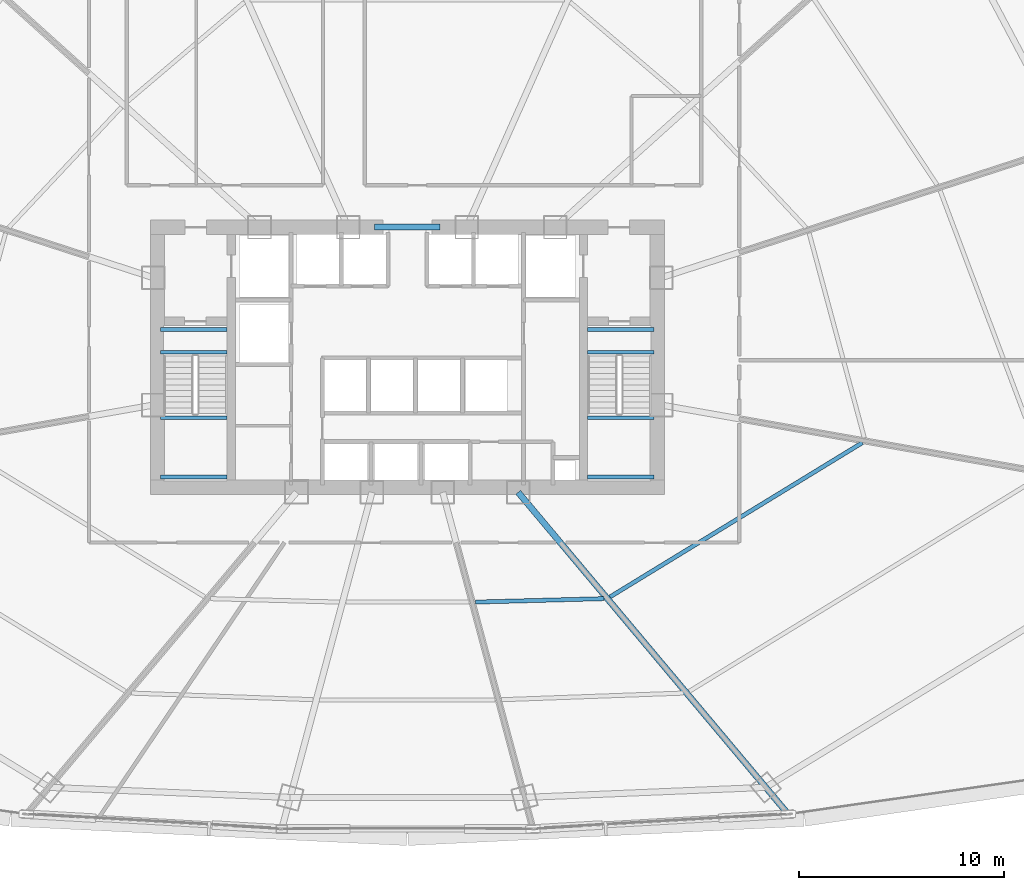
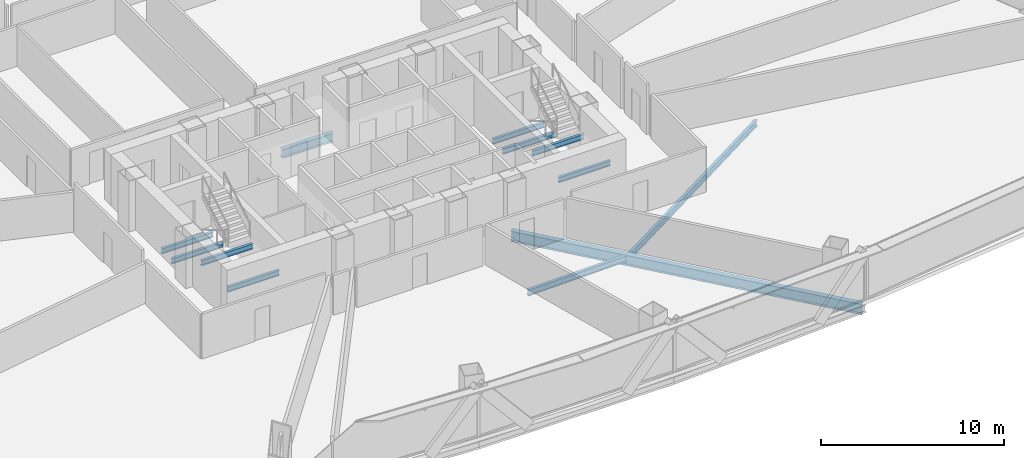
# One storey, part 13 of 42: 12 beams.
"""IFC4 building model written with IfcOpenShell, lengths in metres."""

import ifcopenshell
import ifcopenshell.guid

model = None  # the IFC model being written
_history = None  # IfcOwnerHistory: only IFC2X3 demands one
_inside = {}  # id of a spatial element -> (the spatial element, [elements in it])
_under = {}  # id of a project, library or spatial element -> (it, [spatial elements below it])
_declared = {}  # id of a project -> (the project, [libraries it declares])
_typed = {}  # id of a type object -> (the type object, [elements of that type])
_made_of = {}  # id of a material, layer set ... -> (it, [elements and type objects made of it])


def new_model(schema):
    """Start an empty IFC model of exactly this schema.

    Asked for "IFC4X3", IfcOpenShell would pick the latest addendum, in which some entities
    have other attributes; the version numbers below select the first issue.
    IFC2X3 requires an IfcOwnerHistory on every rooted entity: one is made here for all.
    """
    global model, _history
    if schema == "IFC4X3":
        model = ifcopenshell.file(schema_version=(4, 3, 0, 0))
    else:
        model = ifcopenshell.file(schema=schema)
    _inside.clear()
    _under.clear()
    _declared.clear()
    _typed.clear()
    _made_of.clear()
    _history = None
    if model.schema == "IFC2X3":
        org = make("IfcOrganization", Name="unknown")
        user = make(
            "IfcPersonAndOrganization",
            ThePerson=make("IfcPerson", FamilyName="unknown"),
            TheOrganization=org,
        )
        app = make(
            "IfcApplication",
            ApplicationDeveloper=org,
            Version="unknown",
            ApplicationFullName="unknown",
            ApplicationIdentifier="unknown",
        )
        _history = make(
            "IfcOwnerHistory",
            OwningUser=user,
            OwningApplication=app,
            ChangeAction="ADDED",
            CreationDate=0,
        )
    return model


def make(cls, **values):
    """One entity of the class cls with the attributes given. An attribute that is None is left unset."""
    return model.create_entity(
        cls, **{name: value for name, value in values.items() if value is not None}
    )


def rooted(cls, **values):
    """An entity with a GlobalId (a new one), such as an element, a storey or a relation."""
    return make(cls, GlobalId=ifcopenshell.guid.new(), OwnerHistory=_history, **values)


def si_unit(unit_type, name, prefix=None):
    """IfcSIUnit, for example si_unit("LENGTHUNIT", "METRE", prefix="MILLI")."""
    return make("IfcSIUnit", UnitType=unit_type, Prefix=prefix, Name=name)


def assignment(units):
    """IfcUnitAssignment: the units of a project."""
    return None if units is None else make("IfcUnitAssignment", Units=units)


def point(xyz):
    """IfcCartesianPoint."""
    return None if xyz is None else make("IfcCartesianPoint", Coordinates=xyz)


def direction(xyz):
    """IfcDirection."""
    return None if xyz is None else make("IfcDirection", DirectionRatios=xyz)


def frame(location, z_axis=None, x_axis=None):
    """IfcAxis2Placement3D, a coordinate frame: its origin and axes. An axis left out is left unset."""
    return make(
        "IfcAxis2Placement3D",
        Location=point(location),
        Axis=direction(z_axis),
        RefDirection=direction(x_axis),
    )


def frame_2d(location, x_axis=None):
    """IfcAxis2Placement2D, a coordinate frame in the plane: its origin and x axis."""
    return make(
        "IfcAxis2Placement2D", Location=point(location), RefDirection=direction(x_axis)
    )


def origin():
    """The frame at (0, 0, 0) with its axes left unset."""
    return frame((0.0, 0.0, 0.0))


def origin_2d():
    """The frame at (0, 0) in the plane with its x axis left unset."""
    return frame_2d((0.0, 0.0))


def place(relative_to, where):
    """IfcLocalPlacement: puts the frame where relative to a parent placement (None: the world)."""
    return make(
        "IfcLocalPlacement", PlacementRelTo=relative_to, RelativePlacement=where
    )


def context(
    kind, dimensions, precision=None, world=None, true_north=None, identifier=None
):
    """IfcGeometricRepresentationContext, for example the 3D "Model" context."""
    return make(
        "IfcGeometricRepresentationContext",
        ContextIdentifier=identifier,
        ContextType=kind,
        CoordinateSpaceDimension=dimensions,
        Precision=precision,
        WorldCoordinateSystem=world,
        TrueNorth=true_north,
    )


def subcontext(parent, identifier, kind, view, scale=None):
    """IfcGeometricRepresentationSubContext, for example "Body" below "Model"."""
    return make(
        "IfcGeometricRepresentationSubContext",
        ContextIdentifier=identifier,
        ContextType=kind,
        ParentContext=parent,
        TargetScale=scale,
        TargetView=view,
    )


def project(units=None, contexts=None):
    """IfcProject with its units and contexts."""
    return rooted(
        "IfcProject",
        Name="project",
        RepresentationContexts=contexts,
        UnitsInContext=assignment(units),
    )


def spatial(cls, under=None, at=None, **own):
    """A site, building, storey or space (cls), placed at a placement, below another one or the project."""
    s = rooted(cls, ObjectPlacement=at, **own)
    if under is not None:
        _under.setdefault(under.id(), (under, []))[1].append(s)
    return s


def profile(cls, at=None, kind="AREA", **sizes):
    """A parametric profile (cls). Its sizes go by their IFC names, for example OverallWidth=200.0."""
    return make(cls, ProfileType=kind, Position=at, **sizes)


def i_section(**sizes):
    """IfcIShapeProfileDef."""
    return profile("IfcIShapeProfileDef", **sizes)


def extrude(swept, where, along, depth):
    """IfcExtrudedAreaSolid: the profile swept, set in the frame where, extruded along a direction by depth."""
    return make(
        "IfcExtrudedAreaSolid",
        SweptArea=swept,
        Position=where,
        ExtrudedDirection=direction(along),
        Depth=depth,
    )


def shape(context_of_items, identifier, shape_type, items):
    """IfcShapeRepresentation: the items that make up one representation, for example the "Body"."""
    return make(
        "IfcShapeRepresentation",
        ContextOfItems=context_of_items,
        RepresentationIdentifier=identifier,
        RepresentationType=shape_type,
        Items=items,
    )


def source(mapping_origin, context_of_items, identifier, shape_type, items):
    """IfcRepresentationMap: a shape defined once, which mapped items show again and again."""
    return make(
        "IfcRepresentationMap",
        MappingOrigin=mapping_origin,
        MappedRepresentation=shape(context_of_items, identifier, shape_type, items),
    )


def transform(
    local_origin,
    x_axis=None,
    y_axis=None,
    z_axis=None,
    scale=None,
    scale2=None,
    scale3=None,
    uniform=True,
):
    """IfcCartesianTransformationOperator3D, or its non-uniform kind. x_axis, y_axis, z_axis: its Axis1, 2, 3."""
    if uniform:
        return make(
            "IfcCartesianTransformationOperator3D",
            Axis1=direction(x_axis),
            Axis2=direction(y_axis),
            LocalOrigin=point(local_origin),
            Scale=scale,
            Axis3=direction(z_axis),
        )
    return make(
        "IfcCartesianTransformationOperator3DnonUniform",
        Axis1=direction(x_axis),
        Axis2=direction(y_axis),
        LocalOrigin=point(local_origin),
        Scale=scale,
        Axis3=direction(z_axis),
        Scale2=scale2,
        Scale3=scale3,
    )


def mapped(mapping_source, mapping_target):
    """IfcMappedItem: shows the shape of a source again, moved by a transform."""
    return make(
        "IfcMappedItem", MappingSource=mapping_source, MappingTarget=mapping_target
    )


def material(Name=None, Category=None):
    """IfcMaterial."""
    return make("IfcMaterial", Name=Name, Category=Category)


def material_profile(
    of_material, cross_section, Name=None, Category=None, Priority=None
):
    """IfcMaterialProfile: a cross section and its material."""
    return make(
        "IfcMaterialProfile",
        Name=Name,
        Material=of_material,
        Profile=cross_section,
        Priority=Priority,
        Category=Category,
    )


def profile_set(profiles, Name=None, composite=None):
    """IfcMaterialProfileSet."""
    return make(
        "IfcMaterialProfileSet",
        Name=Name,
        MaterialProfiles=profiles,
        CompositeProfile=composite,
    )


def made_of(thing, what):
    """Note that an element or type object is made of a material, layer set ...; save() writes the relation."""
    if what is not None:
        _made_of.setdefault(what.id(), (what, []))[1].append(thing)
    return thing


def type_object(cls, material=None, **own):
    """A type object (cls), such as IfcWallType, which elements share."""
    return made_of(rooted(cls, **own), material)


def element(
    cls,
    number,
    at=None,
    inside=None,
    cuts=None,
    type_object=None,
    material=None,
    context=None,
    identifier="Body",
    shape_type=None,
    held_by="IfcProductDefinitionShape",
    body=None,
    shapes=None,
    **own,
):
    """One element of the class cls, such as IfcWall. Its Tag is "e" and its number.

    at: its placement. inside: the storey or other place that contains it. cuts: it is an
    opening in that element (IfcRelVoidsElement). A single representation is given by context,
    identifier, shape_type and body (its items); several are given by shapes. held_by: the class
    of the entity that holds the representations. save() writes the other relations.
    """
    e = rooted(cls, Tag="e%d" % number, ObjectPlacement=at, **own)
    if body is not None:
        shapes = [shape(context, identifier, shape_type, body)]
    if shapes is not None:
        e.Representation = make(held_by, Representations=shapes)
    if inside is not None:
        _inside.setdefault(inside.id(), (inside, []))[1].append(e)
    if cuts is not None:
        rooted(
            "IfcRelVoidsElement", RelatingBuildingElement=cuts, RelatedOpeningElement=e
        )
    if type_object is not None:
        _typed.setdefault(type_object.id(), (type_object, []))[1].append(e)
    return made_of(e, material)


def aggregate(whole, parts):
    """IfcRelAggregates: a whole, such as a stair, and the parts it consists of."""
    return rooted("IfcRelAggregates", RelatingObject=whole, RelatedObjects=parts)


def save(model, path):
    """Write the relations noted so far, then the file.

    IfcRelAggregates (storeys below a building ...), IfcRelContainedInSpatialStructure (elements
    in a storey), IfcRelDefinesByType, IfcRelAssociatesMaterial and IfcRelDeclares: one each for
    every whole, place, type object, material and project.
    """
    for whole, parts in _under.values():
        aggregate(whole, parts)
    for where, things in _inside.values():
        rooted(
            "IfcRelContainedInSpatialStructure",
            RelatedElements=things,
            RelatingStructure=where,
        )
    for kind, things in _typed.values():
        rooted("IfcRelDefinesByType", RelatedObjects=things, RelatingType=kind)
    for what, things in _made_of.values():
        rooted("IfcRelAssociatesMaterial", RelatedObjects=things, RelatingMaterial=what)
    for by, libraries in _declared.values():
        rooted("IfcRelDeclares", RelatingContext=by, RelatedDefinitions=libraries)
    model.write(path)


model = new_model("IFC4")

# Units and contexts
model_context = context("Model", 3, precision=1e-05, world=origin(), true_north=direction((0.0, 1.0)))
body_context = subcontext(model_context, "Body", "Model", "MODEL_VIEW")
ifc_project = project(units=[si_unit("LENGTHUNIT", "METRE"), si_unit("AREAUNIT", "SQUARE_METRE"), si_unit("VOLUMEUNIT", "CUBIC_METRE"), si_unit("PLANEANGLEUNIT", "RADIAN"), si_unit("MASSUNIT", "GRAM", prefix="KILO"), si_unit("THERMODYNAMICTEMPERATUREUNIT", "KELVIN"), si_unit("POWERUNIT", "WATT")], contexts=[model_context])

# Site, building, storey
site_placement = place(None, origin())
site = spatial("IfcSite", under=ifc_project, at=site_placement, CompositionType="ELEMENT")
building_placement = place(site_placement, origin())
building = spatial("IfcBuilding", under=site, at=building_placement, Name="Yunzhuo Pagoda Commons", CompositionType="ELEMENT")
storey_placement = place(building_placement, frame((0.0, 0.0, 44.919921875)))
storey = spatial("IfcBuildingStorey", under=building, at=storey_placement, Name="L11", CompositionType="ELEMENT", Elevation=44.919921875)

# Beams
ifc_material_1 = material(Name="Structural steel Q355B", Category="steel")
ifc_material_profile_1 = material_profile(ifc_material_1, i_section(OverallWidth=0.175048828125, OverallDepth=0.35009765625, WebThickness=0.007080078125, FlangeThickness=0.010986328125, at=origin_2d()), Name="Structural steel Q355B")
ifc_profile_set_1 = profile_set([ifc_material_profile_1], Name="Structural steel Q355B")
beam_type_1 = type_object("IfcBeamType", Name="B-JS2 Joist HN 350x175x7x11", PredefinedType="JOIST", material=ifc_profile_set_1)
shared_shape_1 = source(origin(), body_context, "Body", "SweptSolid", [
    extrude(i_section(OverallWidth=0.175048828125, OverallDepth=0.35009765625, WebThickness=0.007080078125, FlangeThickness=0.010986328125, at=origin_2d()), origin(), (0.0, 0.0, 1.0), 3.25),
])
for number, where, z_axis, x_axis, name in (
    (1, (35.949951171875, 28.0, 1.440185546875), (1.0, 0.0, 0.0), (0.0, 1.0, 0.0), "L11 ST1 landing support beam 15A"),
    (2, (35.949951171875, 30.89990234375, 1.440185546875), (1.0, 0.0, 0.0), (0.0, 1.0, 0.0), "L11 ST1 landing support beam 15B"),
    (3, (35.949951171875, 34.10009765625, -0.375), (1.0, 0.0, 0.0), (0.0, 1.0, 0.0), "L11 ST1 landing support beam 115A"),
    (4, (35.949951171875, 35.199951171875, -0.375), (1.0, 0.0, 0.0), (0.0, 1.0, 0.0), "L11 ST1 landing support beam 115B"),
    (5, (56.800048828125, 28.0, 1.440185546875), (1.0, 0.0, 0.0), (0.0, 1.0, 0.0), "L11 ST2 landing support beam 15A"),
    (6, (56.800048828125, 30.89990234375, 1.440185546875), (1.0, 0.0, 0.0), (0.0, 1.0, 0.0), "L11 ST2 landing support beam 15B"),
    (7, (56.800048828125, 34.10009765625, -0.375), (1.0, 0.0, 0.0), (0.0, 1.0, 0.0), "L11 ST2 landing support beam 115A"),
    (8, (56.800048828125, 35.199951171875, -0.375), (1.0, 0.0, 0.0), (0.0, 1.0, 0.0), "L11 ST2 landing support beam 115B"),
):
    element("IfcBeam", number, at=place(storey_placement, frame(where, z_axis=z_axis, x_axis=x_axis)), inside=storey, type_object=beam_type_1, Name=name, PredefinedType="JOIST", context=body_context, shape_type="MappedRepresentation", body=[
        mapped(shared_shape_1, transform((0.0, 0.0, 0.0), scale=1.0)),
    ])
ifc_material_2 = material(Name="Structural steel Q420B", Category="steel")
ifc_material_profile_2 = material_profile(ifc_material_2, i_section(OverallWidth=0.300048828125, OverallDepth=0.587890625, WebThickness=0.011962890625, FlangeThickness=0.02001953125, at=origin_2d()), Name="Structural steel Q420B")
ifc_profile_set_2 = profile_set([ifc_material_profile_2], Name="Structural steel Q420B")
beam_type_2 = type_object("IfcBeamType", Name="B-CPL Beam HM 588x300x12x20", PredefinedType="BEAM", material=ifc_profile_set_2)
shared_shape_2 = source(origin(), body_context, "Body", "SweptSolid", [
    extrude(i_section(OverallWidth=0.300048828125, OverallDepth=0.587890625, WebThickness=0.011962890625, FlangeThickness=0.02001953125, at=origin_2d()), origin(), (0.0, 0.0, 1.0), 3.2001953125),
])
beam_1_placement = place(storey_placement, frame((46.39990234375, 40.199951171875, -0.553955078125), z_axis=(1.0, 0.0, 0.0), x_axis=(0.0, 1.0, 0.0)))
element("IfcBeam", 9, at=beam_1_placement, inside=storey, type_object=beam_type_2, Name="L11 core coupling girder", PredefinedType="BEAM", context=body_context, shape_type="MappedRepresentation", body=[
    mapped(shared_shape_2, transform((0.0, 0.0, 0.0), scale=1.0)),
])
ifc_material_profile_3 = material_profile(ifc_material_1, i_section(OverallWidth=0.199951171875, OverallDepth=0.39990234375, WebThickness=0.008056640625, FlangeThickness=0.012939453125, at=origin_2d()), Name="Structural steel Q355B")
ifc_profile_set_3 = profile_set([ifc_material_profile_3], Name="Structural steel Q355B")
beam_type_3 = type_object("IfcBeamType", Name="B-JS1 Joist HN 400x200x8x13", PredefinedType="JOIST", material=ifc_profile_set_3)
shared_shape_3 = source(origin(), body_context, "Body", "SweptSolid", [
    extrude(i_section(OverallWidth=0.199951171875, OverallDepth=0.39990234375, WebThickness=0.008056640625, FlangeThickness=0.012939453125, at=origin_2d()), origin(), (0.0, 0.0, 1.0), 6.283203125),
])
beam_2_placement = place(storey_placement, frame((51.32421875, 21.89111328125, -0.4599609375), z_axis=(0.999638450037, 0.026888086735, 0.0), x_axis=(-0.026888086735, 0.999638450037, 0.0)))
element("IfcBeam", 10, at=beam_2_placement, inside=storey, type_object=beam_type_3, Name="L11 composite ring joist 1.3", PredefinedType="JOIST", context=body_context, shape_type="MappedRepresentation", body=[
    mapped(shared_shape_3, transform((0.0, 0.0, 0.0), scale=1.0)),
])
shared_shape_4 = source(origin(), body_context, "Body", "SweptSolid", [
    extrude(i_section(OverallWidth=0.199951171875, OverallDepth=0.39990234375, WebThickness=0.008056640625, FlangeThickness=0.012939453125, at=origin_2d()), origin(), (0.0, 0.0, 1.0), 14.4365234375),
])
beam_3_placement = place(storey_placement, frame((57.8994140625, 22.14697265625, -0.4599609375), z_axis=(0.85325633277, 0.521491735876, 0.0), x_axis=(-0.521491735876, 0.85325633277, 0.0)))
element("IfcBeam", 11, at=beam_3_placement, inside=storey, type_object=beam_type_3, Name="L11 composite ring joist 1.4", PredefinedType="JOIST", context=body_context, shape_type="MappedRepresentation", body=[
    mapped(shared_shape_4, transform((0.0, 0.0, 0.0), scale=1.0)),
])
ifc_material_profile_4 = material_profile(ifc_material_1, i_section(OverallWidth=0.300048828125, OverallDepth=0.699951171875, WebThickness=0.012939453125, FlangeThickness=0.02392578125, at=origin_2d()), Name="Structural steel Q355B")
ifc_profile_set_4 = profile_set([ifc_material_profile_4], Name="Structural steel Q355B")
beam_type_4 = type_object("IfcBeamType", Name="B-RG1 Beam HN 700x300x13x24", PredefinedType="BEAM", material=ifc_profile_set_4)
shared_shape_5 = source(origin(), body_context, "Body", "SweptSolid", [
    extrude(i_section(OverallWidth=0.300048828125, OverallDepth=0.699951171875, WebThickness=0.012939453125, FlangeThickness=0.02392578125, at=origin_2d()), origin(), (0.0, 0.0, 1.0), 20.3623046875),
])
beam_4_placement = place(storey_placement, frame((66.500732421875, 11.651611328125, -0.60986328125), z_axis=(-0.642788211009, 0.766043938549, 0.0), x_axis=(-0.766043938549, -0.642788211009, 0.0)))
element("IfcBeam", 12, at=beam_4_placement, inside=storey, type_object=beam_type_4, Name="L11 radial floor girder F1C4", PredefinedType="BEAM", context=body_context, shape_type="MappedRepresentation", body=[
    mapped(shared_shape_5, transform((0.0, 0.0, 0.0), scale=1.0)),
])

save(model, "model.ifc")
